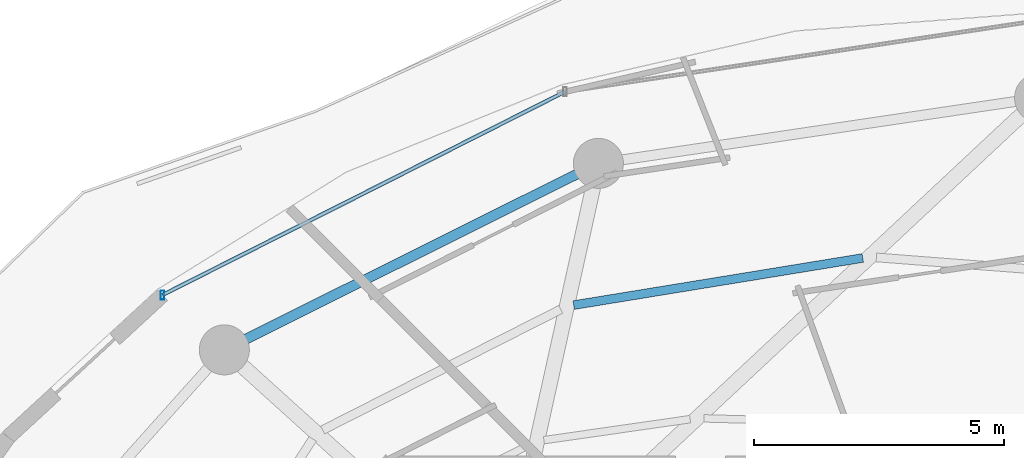
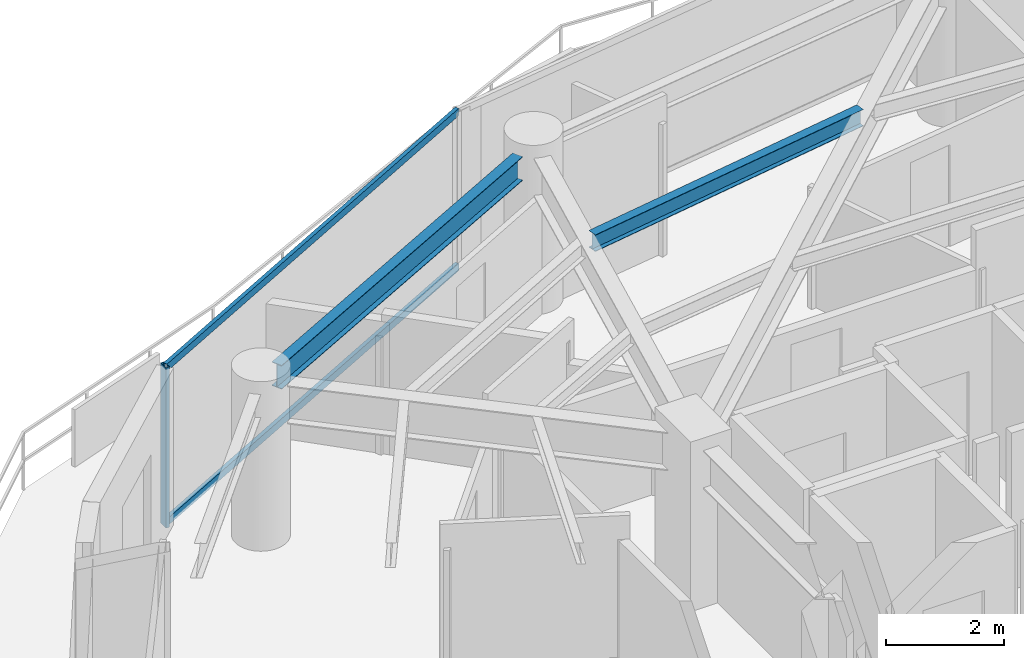
# One storey, part 17 of 31: 3 members, 2 beams, 1 element without a shape of its own.
"""IFC4 building model written with IfcOpenShell, lengths in metres."""

from ifc_helpers import new_model, si_unit, direction, frame, origin, origin_2d, place, context, subcontext, project, spatial, hollow_rectangle, i_section, extrude, material, material_profile, profile_set, type_object, element, aggregate, save


model = new_model("IFC4")

# Units and contexts
model_context = context("Model", 3, precision=1e-05, world=origin(), true_north=direction((0.0, 1.0)))
body_context = subcontext(model_context, "Body", "Model", "MODEL_VIEW")
ifc_project = project(units=[si_unit("LENGTHUNIT", "METRE"), si_unit("AREAUNIT", "SQUARE_METRE"), si_unit("VOLUMEUNIT", "CUBIC_METRE"), si_unit("PLANEANGLEUNIT", "RADIAN"), si_unit("MASSUNIT", "GRAM", prefix="KILO")], contexts=[model_context])

# Site, building, storey
site_placement = place(None, origin())
site = spatial("IfcSite", under=ifc_project, at=site_placement, CompositionType="ELEMENT")
building_placement = place(site_placement, origin())
building = spatial("IfcBuilding", under=site, at=building_placement, Name="Vorneva Point Tower", CompositionType="ELEMENT")
storey_placement = place(building_placement, frame((0.0, 0.0, 136.10009765625)))
storey = spatial("IfcBuildingStorey", under=building, at=storey_placement, Name="L36", CompositionType="ELEMENT", Elevation=136.10009765625)

# Beams
ifc_material_1 = material(Name="Steel S355", Category="steel")
ifc_material_profile_1 = material_profile(ifc_material_1, i_section(OverallWidth=0.174072265625, OverallDepth=0.345947265625, WebThickness=0.006103515625, FlangeThickness=0.009033203125, at=origin_2d()), Name="35B1")
ifc_profile_set_1 = profile_set([ifc_material_profile_1], Name="Steel S355")
beam_type_1 = type_object("IfcBeamType", Name="BM-SEC-35B1", PredefinedType="BEAM", material=ifc_profile_set_1)
beam_1_placement = place(storey_placement, frame((34.4638671875, 39.9990234375, 3.06689453125), z_axis=(-0.986970337588, -0.160902308004, 0.0), x_axis=(0.160902308004, -0.986970337588, 0.0)))
element("IfcBeam", 1, at=beam_1_placement, inside=storey, type_object=beam_type_1, Name="L36 Secondary Floor Beam 1.05", PredefinedType="BEAM", context=body_context, shape_type="SweptSolid", body=[
    extrude(i_section(OverallWidth=0.174072265625, OverallDepth=0.345947265625, WebThickness=0.006103515625, FlangeThickness=0.009033203125, at=origin_2d()), origin(), (0.0, 0.0, 1.0), 5.855224609375),
])
ifc_material_profile_2 = material_profile(ifc_material_1, i_section(OverallWidth=0.199951171875, OverallDepth=0.491943359375, WebThickness=0.0087890625, FlangeThickness=0.011962890625, at=origin_2d()), Name="50B1")
ifc_profile_set_2 = profile_set([ifc_material_profile_2], Name="Steel S355")
beam_type_2 = type_object("IfcBeamType", Name="BM-SPN-50B1", PredefinedType="SPANDREL", material=ifc_profile_set_2)
beam_2_placement = place(storey_placement, frame((28.7451171875, 41.67431640625, 2.993896484375), z_axis=(-0.894929061397, -0.446208443518, 0.0), x_axis=(0.446208443518, -0.894929061397, 0.0)))
element("IfcBeam", 2, at=beam_2_placement, inside=storey, type_object=beam_type_2, Name="L36 Perimeter Spandrel Ring Beam 06", PredefinedType="SPANDREL", context=body_context, shape_type="SweptSolid", body=[
    extrude(i_section(OverallWidth=0.199951171875, OverallDepth=0.491943359375, WebThickness=0.0087890625, FlangeThickness=0.011962890625, at=origin_2d()), origin(), (0.0, 0.0, 1.0), 7.385986328125),
])

# Curtain wall, members
ifc_material_2 = material(Name="Pale anodised aluminium", Category="aluminium")
curtain_wall_type = type_object("IfcCurtainWallType", Name="CW-RES-SYS", PredefinedType="NOTDEFINED", material=ifc_material_2)
curtain_wall_placement = place(storey_placement, origin())
curtain_wall = element("IfcCurtainWall", 3, at=curtain_wall_placement, inside=storey, type_object=curtain_wall_type, Name="L36 Unitised Curtain Wall CW-L36-R02", PredefinedType="NOTDEFINED")
ifc_material_profile_3 = material_profile(ifc_material_2, hollow_rectangle(XDim=0.074951171875, YDim=0.179931640625, WallThickness=0.00390625, at=origin_2d()), Name="AL-MUL 180x75x4")
ifc_profile_set_3 = profile_set([ifc_material_profile_3], Name="Pale anodised aluminium")
member_type_1 = type_object("IfcMemberType", Name="CW-MUL-180", PredefinedType="MULLION", material=ifc_profile_set_3)
member_1_placement = place(storey_placement, frame((20.4638671875, 39.25830078125, -0.0400390625), z_axis=(0.0, 0.0, 1.0), x_axis=(1.0, 0.0, 0.0)))
member_1 = element("IfcMember", 4, at=member_1_placement, type_object=member_type_1, Name="CW-L36-R02 Mullion 05", PredefinedType="MULLION", context=body_context, shape_type="SweptSolid", body=[
    extrude(hollow_rectangle(XDim=0.074951171875, YDim=0.179931640625, WallThickness=0.00390625, at=origin_2d()), origin(), (0.0, 0.0, 1.0), 3.31005859375),
])
ifc_material_profile_4 = material_profile(ifc_material_2, hollow_rectangle(XDim=0.074951171875, YDim=0.14990234375, WallThickness=0.00390625, at=origin_2d()), Name="AL-TRN 150x75x4")
ifc_profile_set_4 = profile_set([ifc_material_profile_4], Name="Pale anodised aluminium")
member_type_2 = type_object("IfcMemberType", Name="CW-TRN-150", PredefinedType="USERDEFINED", material=ifc_profile_set_4)
member_2_placement = place(storey_placement, frame((28.509521484375, 43.32275390625, 0.02001953125), z_axis=(-0.892572392955, -0.450904117673, 0.0), x_axis=(0.450904117673, -0.892572392955, 0.0)))
member_2 = element("IfcMember", 5, at=member_2_placement, type_object=member_type_2, Name="CW-L36-R02 Transom 04.1", ObjectType="TRANSOM", PredefinedType="USERDEFINED", context=body_context, shape_type="SweptSolid", body=[
    extrude(hollow_rectangle(XDim=0.074951171875, YDim=0.14990234375, WallThickness=0.00390625, at=origin_2d()), origin(), (0.0, 0.0, 1.0), 9.013916015625),
])
member_3_placement = place(storey_placement, frame((28.509521484375, 43.32275390625, 3.219970703125), z_axis=(-0.892572392955, -0.450904117673, 0.0), x_axis=(0.450904117673, -0.892572392955, 0.0)))
member_3 = element("IfcMember", 6, at=member_3_placement, type_object=member_type_2, Name="CW-L36-R02 Transom 04.2", ObjectType="TRANSOM", PredefinedType="USERDEFINED", context=body_context, shape_type="SweptSolid", body=[
    extrude(hollow_rectangle(XDim=0.074951171875, YDim=0.14990234375, WallThickness=0.00390625, at=origin_2d()), origin(), (0.0, 0.0, 1.0), 9.013916015625),
])
aggregate(curtain_wall, [member_1, member_2, member_3])

save(model, "model.ifc")
